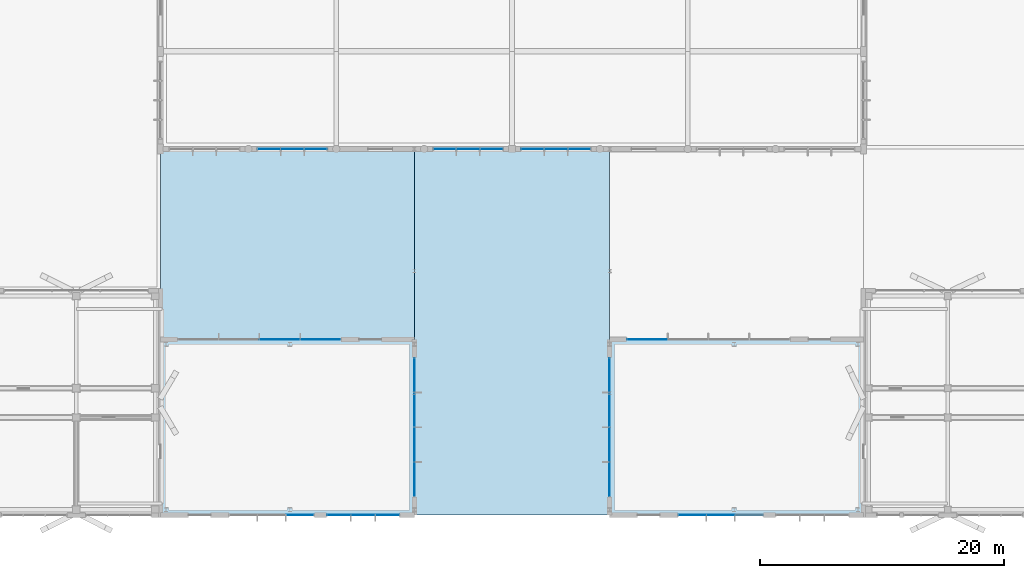
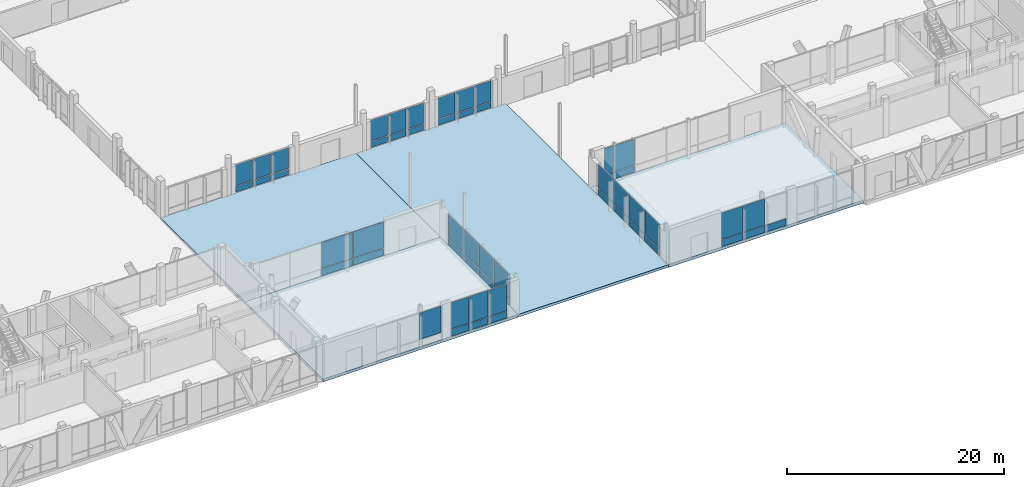
# One storey, part 179 of 233: 52 plates, 4 slabs, 10 elements without a shape of their own.
"""IFC4 building model written with IfcOpenShell, lengths in metres."""

from ifc_helpers import new_model, si_unit, direction, frame, origin, origin_2d, place, context, subcontext, project, spatial, polyline, rectangle, outline, extrude, material, layer, layer_set, type_object, element, aggregate, save


model = new_model("IFC4")

# Units and contexts
model_context = context("Model", 3, precision=1e-05, world=origin(), true_north=direction((0.0, 1.0)))
body_context = subcontext(model_context, "Body", "Model", "MODEL_VIEW")
ifc_project = project(units=[si_unit("LENGTHUNIT", "METRE"), si_unit("AREAUNIT", "SQUARE_METRE"), si_unit("VOLUMEUNIT", "CUBIC_METRE"), si_unit("PLANEANGLEUNIT", "RADIAN"), si_unit("MASSUNIT", "GRAM", prefix="KILO")], contexts=[model_context])

# Site, building, storey
site_placement = place(None, origin())
site = spatial("IfcSite", under=ifc_project, at=site_placement, CompositionType="ELEMENT")
building_placement = place(site_placement, origin())
building = spatial("IfcBuilding", under=site, at=building_placement, Name="Zavelmont Quarter", CompositionType="ELEMENT")
storey_placement = place(building_placement, origin())
storey = spatial("IfcBuildingStorey", under=building, at=storey_placement, Name="L00", CompositionType="ELEMENT", Elevation=0.0)

# Curtain wall, plates
ifc_material_1 = material(Name="Thermally broken aluminium and double low-E safety glazing", Category="aluminium")
curtain_wall_type_1 = type_object("IfcCurtainWallType", Name="CW-580X321", PredefinedType="NOTDEFINED", material=ifc_material_1)
curtain_wall_1_placement = place(storey_placement, origin())
curtain_wall_1 = element("IfcCurtainWall", 1, at=curtain_wall_1_placement, inside=storey, type_object=curtain_wall_type_1, Name="L00 unitised curtain wall CW-580X321", PredefinedType="NOTDEFINED")
ifc_material_2 = material(Name="Insulated anodised-aluminium spandrel panel", Category="aluminium")
ifc_layer_1 = layer(ifc_material_2, 0.0400390625)
ifc_layer_set_1 = layer_set([ifc_layer_1], Name="Insulated anodised-aluminium spandrel panel")
plate_type_1 = type_object("IfcPlateType", Name="CWP-SPD-1830X665", PredefinedType="CURTAIN_PANEL", material=ifc_layer_set_1)
plate_1_placement = place(storey_placement, frame((64.084228515625, 30.0, 0.070068359375), z_axis=(0.0, 0.0, 1.0), x_axis=(1.0, 0.0, 0.0)))
plate_1 = element("IfcPlate", 2, at=plate_1_placement, type_object=plate_type_1, Name="CW-580X321 panel 1.1", PredefinedType="CURTAIN_PANEL", context=body_context, shape_type="SweptSolid", body=[
    extrude(rectangle(XDim=1.828369140625, YDim=0.0400390625, at=origin_2d()), origin(), (0.0, 0.0, 1.0), 0.6650390625),
])
plate_2_placement = place(storey_placement, frame((67.915771484375, 30.0, 0.070068359375), z_axis=(0.0, 0.0, 1.0), x_axis=(1.0, 0.0, 0.0)))
plate_2 = element("IfcPlate", 3, at=plate_2_placement, type_object=plate_type_1, Name="CW-580X321 panel 3.1", PredefinedType="CURTAIN_PANEL", context=body_context, shape_type="SweptSolid", body=[
    extrude(rectangle(XDim=1.828369140625, YDim=0.0400390625, at=origin_2d()), origin(), (0.0, 0.0, 1.0), 0.6650390625),
])

curtain_wall_2_placement = place(storey_placement, origin())
curtain_wall_2 = element("IfcCurtainWall", 4, at=curtain_wall_2_placement, inside=storey, type_object=curtain_wall_type_1, Name="L00 unitised curtain wall CW-580X321", PredefinedType="NOTDEFINED")
plate_3_placement = place(storey_placement, frame((78.484130859375, 30.0, 0.070068359375), z_axis=(0.0, 0.0, 1.0), x_axis=(1.0, 0.0, 0.0)))
plate_3 = element("IfcPlate", 5, at=plate_3_placement, type_object=plate_type_1, Name="CW-580X321 panel 1.1", PredefinedType="CURTAIN_PANEL", context=body_context, shape_type="SweptSolid", body=[
    extrude(rectangle(XDim=1.828369140625, YDim=0.0400390625, at=origin_2d()), origin(), (0.0, 0.0, 1.0), 0.6650390625),
])
plate_4_placement = place(storey_placement, frame((82.31591796875, 30.0, 0.070068359375), z_axis=(0.0, 0.0, 1.0), x_axis=(1.0, 0.0, 0.0)))
plate_4 = element("IfcPlate", 6, at=plate_4_placement, type_object=plate_type_1, Name="CW-580X321 panel 3.1", PredefinedType="CURTAIN_PANEL", context=body_context, shape_type="SweptSolid", body=[
    extrude(rectangle(XDim=1.828369140625, YDim=0.0400390625, at=origin_2d()), origin(), (0.0, 0.0, 1.0), 0.6650390625),
])

curtain_wall_3_placement = place(storey_placement, origin())
curtain_wall_3 = element("IfcCurtainWall", 7, at=curtain_wall_3_placement, inside=storey, type_object=curtain_wall_type_1, Name="L00 unitised curtain wall CW-580X321", PredefinedType="NOTDEFINED")
plate_5_placement = place(storey_placement, frame((85.68408203125, 30.0, 0.070068359375), z_axis=(0.0, 0.0, 1.0), x_axis=(1.0, 0.0, 0.0)))
plate_5 = element("IfcPlate", 8, at=plate_5_placement, type_object=plate_type_1, Name="CW-580X321 panel 1.1", PredefinedType="CURTAIN_PANEL", context=body_context, shape_type="SweptSolid", body=[
    extrude(rectangle(XDim=1.828369140625, YDim=0.0400390625, at=origin_2d()), origin(), (0.0, 0.0, 1.0), 0.6650390625),
])
plate_6_placement = place(storey_placement, frame((89.515869140625, 30.0, 0.070068359375), z_axis=(0.0, 0.0, 1.0), x_axis=(1.0, 0.0, 0.0)))
plate_6 = element("IfcPlate", 9, at=plate_6_placement, type_object=plate_type_1, Name="CW-580X321 panel 3.1", PredefinedType="CURTAIN_PANEL", context=body_context, shape_type="SweptSolid", body=[
    extrude(rectangle(XDim=1.828369140625, YDim=0.0400390625, at=origin_2d()), origin(), (0.0, 0.0, 1.0), 0.6650390625),
])

# Plate
ifc_layer_2 = layer(ifc_material_2, 0.0400390625)
ifc_layer_set_2 = layer_set([ifc_layer_2], Name="Insulated anodised-aluminium spandrel panel")
plate_type_2 = type_object("IfcPlateType", Name="CWP-SPD-1865X665", PredefinedType="CURTAIN_PANEL", material=ifc_layer_set_2)
plate_7_placement = place(storey_placement, frame((66.0, 30.0, 0.070068359375), z_axis=(0.0, 0.0, 1.0), x_axis=(1.0, 0.0, 0.0)))
plate_7 = element("IfcPlate", 10, at=plate_7_placement, type_object=plate_type_2, Name="CW-580X321 panel 2.1", PredefinedType="CURTAIN_PANEL", context=body_context, shape_type="SweptSolid", body=[
    extrude(rectangle(XDim=1.86328125, YDim=0.0400390625, at=origin_2d()), origin(), (0.0, 0.0, 1.0), 0.6650390625),
])

plate_8_placement = place(storey_placement, frame((80.39990234375, 30.0, 0.070068359375), z_axis=(0.0, 0.0, 1.0), x_axis=(1.0, 0.0, 0.0)))
plate_8 = element("IfcPlate", 11, at=plate_8_placement, type_object=plate_type_2, Name="CW-580X321 panel 2.1", PredefinedType="CURTAIN_PANEL", context=body_context, shape_type="SweptSolid", body=[
    extrude(rectangle(XDim=1.86328125, YDim=0.0400390625, at=origin_2d()), origin(), (0.0, 0.0, 1.0), 0.6650390625),
])

plate_9_placement = place(storey_placement, frame((87.60009765625, 30.0, 0.070068359375), z_axis=(0.0, 0.0, 1.0), x_axis=(1.0, 0.0, 0.0)))
plate_9 = element("IfcPlate", 12, at=plate_9_placement, type_object=plate_type_2, Name="CW-580X321 panel 2.1", PredefinedType="CURTAIN_PANEL", context=body_context, shape_type="SweptSolid", body=[
    extrude(rectangle(XDim=1.86328125, YDim=0.0400390625, at=origin_2d()), origin(), (0.0, 0.0, 1.0), 0.6650390625),
])

# Curtain wall, plates
curtain_wall_type_2 = type_object("IfcCurtainWallType", Name="CW-600X390", PredefinedType="NOTDEFINED", material=ifc_material_1)
curtain_wall_4_placement = place(storey_placement, origin())
curtain_wall_4 = element("IfcCurtainWall", 13, at=curtain_wall_4_placement, inside=storey, type_object=curtain_wall_type_2, Name="L00 unitised curtain wall CW-600X390", PredefinedType="NOTDEFINED")
ifc_layer_3 = layer(ifc_material_2, 0.0400390625)
ifc_layer_set_3 = layer_set([ifc_layer_3], Name="Insulated anodised-aluminium spandrel panel")
plate_type_3 = type_object("IfcPlateType", Name="CWP-SPD-1910X760", PredefinedType="CURTAIN_PANEL", material=ifc_layer_set_3)
plate_10_placement = place(storey_placement, frame((69.81494140625, 0.0, 0.06005859375), z_axis=(0.0, 0.0, 1.0), x_axis=(1.0, 0.0, 0.0)))
plate_10 = element("IfcPlate", 14, at=plate_10_placement, type_object=plate_type_3, Name="CW-600X390 panel 1.1", PredefinedType="CURTAIN_PANEL", context=body_context, shape_type="SweptSolid", body=[
    extrude(rectangle(XDim=1.909912109375, YDim=0.0400390625, at=origin_2d()), origin(), (0.0, 0.0, 1.0), 0.760009765625),
])
plate_11_placement = place(storey_placement, frame((73.784912109375, 0.0, 0.06005859375), z_axis=(0.0, 0.0, 1.0), x_axis=(1.0, 0.0, 0.0)))
plate_11 = element("IfcPlate", 15, at=plate_11_placement, type_object=plate_type_3, Name="CW-600X390 panel 3.1", PredefinedType="CURTAIN_PANEL", context=body_context, shape_type="SweptSolid", body=[
    extrude(rectangle(XDim=1.909912109375, YDim=0.0400390625, at=origin_2d()), origin(), (0.0, 0.0, 1.0), 0.760009765625),
])
ifc_layer_4 = layer(ifc_material_2, 0.0400390625)
ifc_layer_set_4 = layer_set([ifc_layer_4], Name="Insulated anodised-aluminium spandrel panel")
plate_type_4 = type_object("IfcPlateType", Name="CWP-SPD-1940X760", PredefinedType="CURTAIN_PANEL", material=ifc_layer_set_4)
plate_12_placement = place(storey_placement, frame((71.800048828125, 0.0, 0.06005859375), z_axis=(0.0, 0.0, 1.0), x_axis=(1.0, 0.0, 0.0)))
plate_12 = element("IfcPlate", 16, at=plate_12_placement, type_object=plate_type_4, Name="CW-600X390 panel 2.1", PredefinedType="CURTAIN_PANEL", context=body_context, shape_type="SweptSolid", body=[
    extrude(rectangle(XDim=1.93994140625, YDim=0.0400390625, at=origin_2d()), origin(), (0.0, 0.0, 1.0), 0.760009765625),
])

curtain_wall_type_3 = type_object("IfcCurtainWallType", Name="CW-700X390", PredefinedType="NOTDEFINED", material=ifc_material_1)
curtain_wall_5_placement = place(storey_placement, origin())
curtain_wall_5 = element("IfcCurtainWall", 17, at=curtain_wall_5_placement, inside=storey, type_object=curtain_wall_type_3, Name="L00 unitised curtain wall CW-700X390", PredefinedType="NOTDEFINED")
ifc_layer_5 = layer(ifc_material_2, 0.0400390625)
ifc_layer_set_5 = layer_set([ifc_layer_5], Name="Insulated anodised-aluminium spandrel panel")
plate_type_5 = type_object("IfcPlateType", Name="CWP-SPD-2245X760", PredefinedType="CURTAIN_PANEL", material=ifc_layer_set_5)
plate_13_placement = place(storey_placement, frame((98.78173828125, 0.0, 0.06005859375), z_axis=(0.0, 0.0, 1.0), x_axis=(1.0, 0.0, 0.0)))
plate_13 = element("IfcPlate", 18, at=plate_13_placement, type_object=plate_type_5, Name="CW-700X390 panel 1.1", PredefinedType="CURTAIN_PANEL", context=body_context, shape_type="SweptSolid", body=[
    extrude(rectangle(XDim=2.243408203125, YDim=0.0400390625, at=origin_2d()), origin(), (0.0, 0.0, 1.0), 0.760009765625),
])
plate_14_placement = place(storey_placement, frame((103.418212890625, 0.0, 0.06005859375), z_axis=(0.0, 0.0, 1.0), x_axis=(1.0, 0.0, 0.0)))
plate_14 = element("IfcPlate", 19, at=plate_14_placement, type_object=plate_type_5, Name="CW-700X390 panel 3.1", PredefinedType="CURTAIN_PANEL", context=body_context, shape_type="SweptSolid", body=[
    extrude(rectangle(XDim=2.243408203125, YDim=0.0400390625, at=origin_2d()), origin(), (0.0, 0.0, 1.0), 0.760009765625),
])
ifc_layer_6 = layer(ifc_material_2, 0.0400390625)
ifc_layer_set_6 = layer_set([ifc_layer_6], Name="Insulated anodised-aluminium spandrel panel")
plate_type_6 = type_object("IfcPlateType", Name="CWP-SPD-2275X760", PredefinedType="CURTAIN_PANEL", material=ifc_layer_set_6)
plate_15_placement = place(storey_placement, frame((101.10009765625, 0.0, 0.06005859375), z_axis=(0.0, 0.0, 1.0), x_axis=(1.0, 0.0, 0.0)))
plate_15 = element("IfcPlate", 20, at=plate_15_placement, type_object=plate_type_6, Name="CW-700X390 panel 2.1", PredefinedType="CURTAIN_PANEL", context=body_context, shape_type="SweptSolid", body=[
    extrude(rectangle(XDim=2.2734375, YDim=0.0400390625, at=origin_2d()), origin(), (0.0, 0.0, 1.0), 0.760009765625),
])

curtain_wall_type_4 = type_object("IfcCurtainWallType", Name="CW-1140X361", PredefinedType="NOTDEFINED", material=ifc_material_1)
curtain_wall_6_placement = place(storey_placement, origin())
curtain_wall_6 = element("IfcCurtainWall", 21, at=curtain_wall_6_placement, inside=storey, type_object=curtain_wall_type_4, Name="L00 unitised curtain wall CW-1140X361", PredefinedType="NOTDEFINED")
ifc_layer_7 = layer(ifc_material_2, 0.0400390625)
ifc_layer_set_7 = layer_set([ifc_layer_7], Name="Insulated anodised-aluminium spandrel panel")
plate_type_7 = type_object("IfcPlateType", Name="CWP-SPD-2760X760", PredefinedType="CURTAIN_PANEL", material=ifc_layer_set_7)
plate_16_placement = place(storey_placement, frame((76.0, 2.93994140625, 0.06005859375), z_axis=(0.0, 0.0, 1.0), x_axis=(0.0, 1.0, 0.0)))
plate_16 = element("IfcPlate", 22, at=plate_16_placement, type_object=plate_type_7, Name="CW-1140X361 panel 1.1", PredefinedType="CURTAIN_PANEL", context=body_context, shape_type="SweptSolid", body=[
    extrude(rectangle(XDim=2.760009765625, YDim=0.0400390625, at=origin_2d()), origin(), (0.0, 0.0, 1.0), 0.760009765625),
])
plate_17_placement = place(storey_placement, frame((76.0, 11.4599609375, 0.06005859375), z_axis=(0.0, 0.0, 1.0), x_axis=(0.0, 1.0, 0.0)))
plate_17 = element("IfcPlate", 23, at=plate_17_placement, type_object=plate_type_7, Name="CW-1140X361 panel 4.1", PredefinedType="CURTAIN_PANEL", context=body_context, shape_type="SweptSolid", body=[
    extrude(rectangle(XDim=2.760009765625, YDim=0.0400390625, at=origin_2d()), origin(), (0.0, 0.0, 1.0), 0.760009765625),
])

curtain_wall_7_placement = place(storey_placement, origin())
curtain_wall_7 = element("IfcCurtainWall", 24, at=curtain_wall_7_placement, inside=storey, type_object=curtain_wall_type_4, Name="L00 unitised curtain wall CW-1140X361", PredefinedType="NOTDEFINED")
plate_18_placement = place(storey_placement, frame((92.0, 2.93994140625, 0.06005859375), z_axis=(0.0, 0.0, 1.0), x_axis=(0.0, 1.0, 0.0)))
plate_18 = element("IfcPlate", 25, at=plate_18_placement, type_object=plate_type_7, Name="CW-1140X361 panel 1.1", PredefinedType="CURTAIN_PANEL", context=body_context, shape_type="SweptSolid", body=[
    extrude(rectangle(XDim=2.760009765625, YDim=0.0400390625, at=origin_2d()), origin(), (0.0, 0.0, 1.0), 0.760009765625),
])
plate_19_placement = place(storey_placement, frame((92.0, 11.4599609375, 0.06005859375), z_axis=(0.0, 0.0, 1.0), x_axis=(0.0, 1.0, 0.0)))
plate_19 = element("IfcPlate", 26, at=plate_19_placement, type_object=plate_type_7, Name="CW-1140X361 panel 4.1", PredefinedType="CURTAIN_PANEL", context=body_context, shape_type="SweptSolid", body=[
    extrude(rectangle(XDim=2.760009765625, YDim=0.0400390625, at=origin_2d()), origin(), (0.0, 0.0, 1.0), 0.760009765625),
])

# Plate
ifc_layer_8 = layer(ifc_material_2, 0.0400390625)
ifc_layer_set_8 = layer_set([ifc_layer_8], Name="Insulated anodised-aluminium spandrel panel")
plate_type_8 = type_object("IfcPlateType", Name="CWP-SPD-2790X760", PredefinedType="CURTAIN_PANEL", material=ifc_layer_set_8)
plate_20_placement = place(storey_placement, frame((76.0, 5.77490234375, 0.06005859375), z_axis=(0.0, 0.0, 1.0), x_axis=(0.0, 1.0, 0.0)))
plate_20 = element("IfcPlate", 27, at=plate_20_placement, type_object=plate_type_8, Name="CW-1140X361 panel 2.1", PredefinedType="CURTAIN_PANEL", context=body_context, shape_type="SweptSolid", body=[
    extrude(rectangle(XDim=2.7900390625, YDim=0.0400390625, at=origin_2d()), origin(), (0.0, 0.0, 1.0), 0.760009765625),
])

plate_21_placement = place(storey_placement, frame((76.0, 8.625, 0.06005859375), z_axis=(0.0, 0.0, 1.0), x_axis=(0.0, 1.0, 0.0)))
plate_21 = element("IfcPlate", 28, at=plate_21_placement, type_object=plate_type_8, Name="CW-1140X361 panel 3.1", PredefinedType="CURTAIN_PANEL", context=body_context, shape_type="SweptSolid", body=[
    extrude(rectangle(XDim=2.7900390625, YDim=0.0400390625, at=origin_2d()), origin(), (0.0, 0.0, 1.0), 0.760009765625),
])

plate_22_placement = place(storey_placement, frame((92.0, 5.77490234375, 0.06005859375), z_axis=(0.0, 0.0, 1.0), x_axis=(0.0, 1.0, 0.0)))
plate_22 = element("IfcPlate", 29, at=plate_22_placement, type_object=plate_type_8, Name="CW-1140X361 panel 2.1", PredefinedType="CURTAIN_PANEL", context=body_context, shape_type="SweptSolid", body=[
    extrude(rectangle(XDim=2.7900390625, YDim=0.0400390625, at=origin_2d()), origin(), (0.0, 0.0, 1.0), 0.760009765625),
])

plate_23_placement = place(storey_placement, frame((92.0, 8.625, 0.06005859375), z_axis=(0.0, 0.0, 1.0), x_axis=(0.0, 1.0, 0.0)))
plate_23 = element("IfcPlate", 30, at=plate_23_placement, type_object=plate_type_8, Name="CW-1140X361 panel 3.1", PredefinedType="CURTAIN_PANEL", context=body_context, shape_type="SweptSolid", body=[
    extrude(rectangle(XDim=2.7900390625, YDim=0.0400390625, at=origin_2d()), origin(), (0.0, 0.0, 1.0), 0.760009765625),
])

# Curtain wall, plate
curtain_wall_type_5 = type_object("IfcCurtainWallType", Name="CW-1340X390", PredefinedType="NOTDEFINED", material=ifc_material_1)
curtain_wall_8_placement = place(storey_placement, origin())
curtain_wall_8 = element("IfcCurtainWall", 31, at=curtain_wall_8_placement, inside=storey, type_object=curtain_wall_type_5, Name="L00 unitised curtain wall CW-1340X390", PredefinedType="NOTDEFINED")
ifc_layer_9 = layer(ifc_material_2, 0.0400390625)
ifc_layer_set_9 = layer_set([ifc_layer_9], Name="Insulated anodised-aluminium spandrel panel")
plate_type_9 = type_object("IfcPlateType", Name="CWP-SPD-3260X760", PredefinedType="CURTAIN_PANEL", material=ifc_layer_set_9)
plate_24_placement = place(storey_placement, frame((68.31005859375, 14.39990234375, 0.06005859375), z_axis=(0.0, 0.0, 1.0), x_axis=(1.0, 0.0, 0.0)))
plate_24 = element("IfcPlate", 32, at=plate_24_placement, type_object=plate_type_9, Name="CW-1340X390 panel 4.1", PredefinedType="CURTAIN_PANEL", context=body_context, shape_type="SweptSolid", body=[
    extrude(rectangle(XDim=3.260009765625, YDim=0.0400390625, at=origin_2d()), origin(), (0.0, 0.0, 1.0), 0.760009765625),
])

curtain_wall_9_placement = place(storey_placement, origin())
curtain_wall_9 = element("IfcCurtainWall", 33, at=curtain_wall_9_placement, inside=storey, type_object=curtain_wall_type_5, Name="L00 unitised curtain wall CW-1340X390", PredefinedType="NOTDEFINED")
plate_25_placement = place(storey_placement, frame((95.090087890625, 14.39990234375, 0.06005859375), z_axis=(0.0, 0.0, 1.0), x_axis=(1.0, 0.0, 0.0)))
plate_25 = element("IfcPlate", 34, at=plate_25_placement, type_object=plate_type_9, Name="CW-1340X390 panel 1.1", PredefinedType="CURTAIN_PANEL", context=body_context, shape_type="SweptSolid", body=[
    extrude(rectangle(XDim=3.260009765625, YDim=0.0400390625, at=origin_2d()), origin(), (0.0, 0.0, 1.0), 0.760009765625),
])

# Plate
ifc_layer_10 = layer(ifc_material_2, 0.0400390625)
ifc_layer_set_10 = layer_set([ifc_layer_10], Name="Insulated anodised-aluminium spandrel panel")
plate_type_10 = type_object("IfcPlateType", Name="CWP-SPD-3290X760", PredefinedType="CURTAIN_PANEL", material=ifc_layer_set_10)
plate_26_placement = place(storey_placement, frame((64.97509765625, 14.39990234375, 0.06005859375), z_axis=(0.0, 0.0, 1.0), x_axis=(1.0, 0.0, 0.0)))
plate_26 = element("IfcPlate", 35, at=plate_26_placement, type_object=plate_type_10, Name="CW-1340X390 panel 3.1", PredefinedType="CURTAIN_PANEL", context=body_context, shape_type="SweptSolid", body=[
    extrude(rectangle(XDim=3.2900390625, YDim=0.0400390625, at=origin_2d()), origin(), (0.0, 0.0, 1.0), 0.760009765625),
])

ifc_material_3 = material(Name="Double low-E insulated vision glass", Category="glass")
ifc_layer_11 = layer(ifc_material_3, 0.028076171875)
ifc_layer_set_11 = layer_set([ifc_layer_11], Name="Double low-E insulated vision glass")
plate_type_11 = type_object("IfcPlateType", Name="CWP-VIS-1830X2335", PredefinedType="CURTAIN_PANEL", material=ifc_layer_set_11)
plate_27_placement = place(storey_placement, frame((64.084228515625, 30.0, 0.804931640625), z_axis=(0.0, 0.0, 1.0), x_axis=(1.0, 0.0, 0.0)))
plate_27 = element("IfcPlate", 36, at=plate_27_placement, type_object=plate_type_11, Name="CW-580X321 panel 1.2", PredefinedType="CURTAIN_PANEL", context=body_context, shape_type="SweptSolid", body=[
    extrude(rectangle(XDim=1.828369140625, YDim=0.028076171875, at=origin_2d()), origin(), (0.0, 0.0, 1.0), 2.3349609375),
])

plate_28_placement = place(storey_placement, frame((67.915771484375, 30.0, 0.804931640625), z_axis=(0.0, 0.0, 1.0), x_axis=(1.0, 0.0, 0.0)))
plate_28 = element("IfcPlate", 37, at=plate_28_placement, type_object=plate_type_11, Name="CW-580X321 panel 3.2", PredefinedType="CURTAIN_PANEL", context=body_context, shape_type="SweptSolid", body=[
    extrude(rectangle(XDim=1.828369140625, YDim=0.028076171875, at=origin_2d()), origin(), (0.0, 0.0, 1.0), 2.3349609375),
])

plate_29_placement = place(storey_placement, frame((78.484130859375, 30.0, 0.804931640625), z_axis=(0.0, 0.0, 1.0), x_axis=(1.0, 0.0, 0.0)))
plate_29 = element("IfcPlate", 38, at=plate_29_placement, type_object=plate_type_11, Name="CW-580X321 panel 1.2", PredefinedType="CURTAIN_PANEL", context=body_context, shape_type="SweptSolid", body=[
    extrude(rectangle(XDim=1.828369140625, YDim=0.028076171875, at=origin_2d()), origin(), (0.0, 0.0, 1.0), 2.3349609375),
])

plate_30_placement = place(storey_placement, frame((82.31591796875, 30.0, 0.804931640625), z_axis=(0.0, 0.0, 1.0), x_axis=(1.0, 0.0, 0.0)))
plate_30 = element("IfcPlate", 39, at=plate_30_placement, type_object=plate_type_11, Name="CW-580X321 panel 3.2", PredefinedType="CURTAIN_PANEL", context=body_context, shape_type="SweptSolid", body=[
    extrude(rectangle(XDim=1.828369140625, YDim=0.028076171875, at=origin_2d()), origin(), (0.0, 0.0, 1.0), 2.3349609375),
])

plate_31_placement = place(storey_placement, frame((85.68408203125, 30.0, 0.804931640625), z_axis=(0.0, 0.0, 1.0), x_axis=(1.0, 0.0, 0.0)))
plate_31 = element("IfcPlate", 40, at=plate_31_placement, type_object=plate_type_11, Name="CW-580X321 panel 1.2", PredefinedType="CURTAIN_PANEL", context=body_context, shape_type="SweptSolid", body=[
    extrude(rectangle(XDim=1.828369140625, YDim=0.028076171875, at=origin_2d()), origin(), (0.0, 0.0, 1.0), 2.3349609375),
])

plate_32_placement = place(storey_placement, frame((89.515869140625, 30.0, 0.804931640625), z_axis=(0.0, 0.0, 1.0), x_axis=(1.0, 0.0, 0.0)))
plate_32 = element("IfcPlate", 41, at=plate_32_placement, type_object=plate_type_11, Name="CW-580X321 panel 3.2", PredefinedType="CURTAIN_PANEL", context=body_context, shape_type="SweptSolid", body=[
    extrude(rectangle(XDim=1.828369140625, YDim=0.028076171875, at=origin_2d()), origin(), (0.0, 0.0, 1.0), 2.3349609375),
])

ifc_layer_12 = layer(ifc_material_3, 0.028076171875)
ifc_layer_set_12 = layer_set([ifc_layer_12], Name="Double low-E insulated vision glass")
plate_type_12 = type_object("IfcPlateType", Name="CWP-VIS-1865X2335", PredefinedType="CURTAIN_PANEL", material=ifc_layer_set_12)
plate_33_placement = place(storey_placement, frame((66.0, 30.0, 0.804931640625), z_axis=(0.0, 0.0, 1.0), x_axis=(1.0, 0.0, 0.0)))
plate_33 = element("IfcPlate", 42, at=plate_33_placement, type_object=plate_type_12, Name="CW-580X321 panel 2.2", PredefinedType="CURTAIN_PANEL", context=body_context, shape_type="SweptSolid", body=[
    extrude(rectangle(XDim=1.86328125, YDim=0.028076171875, at=origin_2d()), origin(), (0.0, 0.0, 1.0), 2.3349609375),
])

aggregate(curtain_wall_1, [plate_1, plate_27, plate_7, plate_33, plate_2, plate_28])

plate_34_placement = place(storey_placement, frame((80.39990234375, 30.0, 0.804931640625), z_axis=(0.0, 0.0, 1.0), x_axis=(1.0, 0.0, 0.0)))
plate_34 = element("IfcPlate", 43, at=plate_34_placement, type_object=plate_type_12, Name="CW-580X321 panel 2.2", PredefinedType="CURTAIN_PANEL", context=body_context, shape_type="SweptSolid", body=[
    extrude(rectangle(XDim=1.86328125, YDim=0.028076171875, at=origin_2d()), origin(), (0.0, 0.0, 1.0), 2.3349609375),
])

aggregate(curtain_wall_2, [plate_3, plate_29, plate_8, plate_34, plate_4, plate_30])

plate_35_placement = place(storey_placement, frame((87.60009765625, 30.0, 0.804931640625), z_axis=(0.0, 0.0, 1.0), x_axis=(1.0, 0.0, 0.0)))
plate_35 = element("IfcPlate", 44, at=plate_35_placement, type_object=plate_type_12, Name="CW-580X321 panel 2.2", PredefinedType="CURTAIN_PANEL", context=body_context, shape_type="SweptSolid", body=[
    extrude(rectangle(XDim=1.86328125, YDim=0.028076171875, at=origin_2d()), origin(), (0.0, 0.0, 1.0), 2.3349609375),
])

aggregate(curtain_wall_3, [plate_5, plate_31, plate_9, plate_35, plate_6, plate_32])

ifc_layer_13 = layer(ifc_material_3, 0.028076171875)
ifc_layer_set_13 = layer_set([ifc_layer_13], Name="Double low-E insulated vision glass")
plate_type_13 = type_object("IfcPlateType", Name="CWP-VIS-1910X2960", PredefinedType="CURTAIN_PANEL", material=ifc_layer_set_13)
plate_36_placement = place(storey_placement, frame((69.81494140625, 0.0, 0.880126953125), z_axis=(0.0, 0.0, 1.0), x_axis=(1.0, 0.0, 0.0)))
plate_36 = element("IfcPlate", 45, at=plate_36_placement, type_object=plate_type_13, Name="CW-600X390 panel 1.2", PredefinedType="CURTAIN_PANEL", context=body_context, shape_type="SweptSolid", body=[
    extrude(rectangle(XDim=1.909912109375, YDim=0.028076171875, at=origin_2d()), origin(), (0.0, 0.0, 1.0), 2.9599609375),
])

plate_37_placement = place(storey_placement, frame((73.784912109375, 0.0, 0.880126953125), z_axis=(0.0, 0.0, 1.0), x_axis=(1.0, 0.0, 0.0)))
plate_37 = element("IfcPlate", 46, at=plate_37_placement, type_object=plate_type_13, Name="CW-600X390 panel 3.2", PredefinedType="CURTAIN_PANEL", context=body_context, shape_type="SweptSolid", body=[
    extrude(rectangle(XDim=1.909912109375, YDim=0.028076171875, at=origin_2d()), origin(), (0.0, 0.0, 1.0), 2.9599609375),
])

ifc_layer_14 = layer(ifc_material_3, 0.028076171875)
ifc_layer_set_14 = layer_set([ifc_layer_14], Name="Double low-E insulated vision glass")
plate_type_14 = type_object("IfcPlateType", Name="CWP-VIS-1940X2960", PredefinedType="CURTAIN_PANEL", material=ifc_layer_set_14)
plate_38_placement = place(storey_placement, frame((71.800048828125, 0.0, 0.880126953125), z_axis=(0.0, 0.0, 1.0), x_axis=(1.0, 0.0, 0.0)))
plate_38 = element("IfcPlate", 47, at=plate_38_placement, type_object=plate_type_14, Name="CW-600X390 panel 2.2", PredefinedType="CURTAIN_PANEL", context=body_context, shape_type="SweptSolid", body=[
    extrude(rectangle(XDim=1.93994140625, YDim=0.028076171875, at=origin_2d()), origin(), (0.0, 0.0, 1.0), 2.9599609375),
])

aggregate(curtain_wall_4, [plate_10, plate_36, plate_12, plate_38, plate_11, plate_37])

# Curtain wall, plate
curtain_wall_10_placement = place(storey_placement, origin())
curtain_wall_10 = element("IfcCurtainWall", 48, at=curtain_wall_10_placement, inside=storey, type_object=curtain_wall_type_3, Name="L00 unitised curtain wall CW-700X390", PredefinedType="NOTDEFINED")
ifc_layer_15 = layer(ifc_material_3, 0.028076171875)
ifc_layer_set_15 = layer_set([ifc_layer_15], Name="Double low-E insulated vision glass")
plate_type_15 = type_object("IfcPlateType", Name="CWP-VIS-2245X2960", PredefinedType="CURTAIN_PANEL", material=ifc_layer_set_15)
plate_39_placement = place(storey_placement, frame((66.618408203125, 0.0, 0.880126953125), z_axis=(0.0, 0.0, 1.0), x_axis=(1.0, 0.0, 0.0)))
plate_39 = element("IfcPlate", 49, at=plate_39_placement, type_object=plate_type_15, Name="CW-700X390 panel 3.2", PredefinedType="CURTAIN_PANEL", context=body_context, shape_type="SweptSolid", body=[
    extrude(rectangle(XDim=2.243408203125, YDim=0.028076171875, at=origin_2d()), origin(), (0.0, 0.0, 1.0), 2.9599609375),
])
aggregate(curtain_wall_10, [plate_39])

# Plate
plate_40_placement = place(storey_placement, frame((98.78173828125, 0.0, 0.880126953125), z_axis=(0.0, 0.0, 1.0), x_axis=(1.0, 0.0, 0.0)))
plate_40 = element("IfcPlate", 50, at=plate_40_placement, type_object=plate_type_15, Name="CW-700X390 panel 1.2", PredefinedType="CURTAIN_PANEL", context=body_context, shape_type="SweptSolid", body=[
    extrude(rectangle(XDim=2.243408203125, YDim=0.028076171875, at=origin_2d()), origin(), (0.0, 0.0, 1.0), 2.9599609375),
])

ifc_layer_16 = layer(ifc_material_3, 0.028076171875)
ifc_layer_set_16 = layer_set([ifc_layer_16], Name="Double low-E insulated vision glass")
plate_type_16 = type_object("IfcPlateType", Name="CWP-VIS-2275X2960", PredefinedType="CURTAIN_PANEL", material=ifc_layer_set_16)
plate_41_placement = place(storey_placement, frame((101.10009765625, 0.0, 0.880126953125), z_axis=(0.0, 0.0, 1.0), x_axis=(1.0, 0.0, 0.0)))
plate_41 = element("IfcPlate", 51, at=plate_41_placement, type_object=plate_type_16, Name="CW-700X390 panel 2.2", PredefinedType="CURTAIN_PANEL", context=body_context, shape_type="SweptSolid", body=[
    extrude(rectangle(XDim=2.2734375, YDim=0.028076171875, at=origin_2d()), origin(), (0.0, 0.0, 1.0), 2.9599609375),
])

aggregate(curtain_wall_5, [plate_13, plate_40, plate_15, plate_41, plate_14])

ifc_layer_17 = layer(ifc_material_3, 0.028076171875)
ifc_layer_set_17 = layer_set([ifc_layer_17], Name="Double low-E insulated vision glass")
plate_type_17 = type_object("IfcPlateType", Name="CWP-VIS-2760X2670", PredefinedType="CURTAIN_PANEL", material=ifc_layer_set_17)
plate_42_placement = place(storey_placement, frame((76.0, 2.93994140625, 0.880126953125), z_axis=(0.0, 0.0, 1.0), x_axis=(0.0, 1.0, 0.0)))
plate_42 = element("IfcPlate", 52, at=plate_42_placement, type_object=plate_type_17, Name="CW-1140X361 panel 1.2", PredefinedType="CURTAIN_PANEL", context=body_context, shape_type="SweptSolid", body=[
    extrude(rectangle(XDim=2.760009765625, YDim=0.028076171875, at=origin_2d()), origin(), (0.0, 0.0, 1.0), 2.669921875),
])

plate_43_placement = place(storey_placement, frame((76.0, 11.4599609375, 0.880126953125), z_axis=(0.0, 0.0, 1.0), x_axis=(0.0, 1.0, 0.0)))
plate_43 = element("IfcPlate", 53, at=plate_43_placement, type_object=plate_type_17, Name="CW-1140X361 panel 4.2", PredefinedType="CURTAIN_PANEL", context=body_context, shape_type="SweptSolid", body=[
    extrude(rectangle(XDim=2.760009765625, YDim=0.028076171875, at=origin_2d()), origin(), (0.0, 0.0, 1.0), 2.669921875),
])

plate_44_placement = place(storey_placement, frame((92.0, 2.93994140625, 0.880126953125), z_axis=(0.0, 0.0, 1.0), x_axis=(0.0, 1.0, 0.0)))
plate_44 = element("IfcPlate", 54, at=plate_44_placement, type_object=plate_type_17, Name="CW-1140X361 panel 1.2", PredefinedType="CURTAIN_PANEL", context=body_context, shape_type="SweptSolid", body=[
    extrude(rectangle(XDim=2.760009765625, YDim=0.028076171875, at=origin_2d()), origin(), (0.0, 0.0, 1.0), 2.669921875),
])

plate_45_placement = place(storey_placement, frame((92.0, 11.4599609375, 0.880126953125), z_axis=(0.0, 0.0, 1.0), x_axis=(0.0, 1.0, 0.0)))
plate_45 = element("IfcPlate", 55, at=plate_45_placement, type_object=plate_type_17, Name="CW-1140X361 panel 4.2", PredefinedType="CURTAIN_PANEL", context=body_context, shape_type="SweptSolid", body=[
    extrude(rectangle(XDim=2.760009765625, YDim=0.028076171875, at=origin_2d()), origin(), (0.0, 0.0, 1.0), 2.669921875),
])

ifc_layer_18 = layer(ifc_material_3, 0.028076171875)
ifc_layer_set_18 = layer_set([ifc_layer_18], Name="Double low-E insulated vision glass")
plate_type_18 = type_object("IfcPlateType", Name="CWP-VIS-2790X2670", PredefinedType="CURTAIN_PANEL", material=ifc_layer_set_18)
plate_46_placement = place(storey_placement, frame((76.0, 5.77490234375, 0.880126953125), z_axis=(0.0, 0.0, 1.0), x_axis=(0.0, 1.0, 0.0)))
plate_46 = element("IfcPlate", 56, at=plate_46_placement, type_object=plate_type_18, Name="CW-1140X361 panel 2.2", PredefinedType="CURTAIN_PANEL", context=body_context, shape_type="SweptSolid", body=[
    extrude(rectangle(XDim=2.7900390625, YDim=0.028076171875, at=origin_2d()), origin(), (0.0, 0.0, 1.0), 2.669921875),
])

plate_47_placement = place(storey_placement, frame((76.0, 8.625, 0.880126953125), z_axis=(0.0, 0.0, 1.0), x_axis=(0.0, 1.0, 0.0)))
plate_47 = element("IfcPlate", 57, at=plate_47_placement, type_object=plate_type_18, Name="CW-1140X361 panel 3.2", PredefinedType="CURTAIN_PANEL", context=body_context, shape_type="SweptSolid", body=[
    extrude(rectangle(XDim=2.7900390625, YDim=0.028076171875, at=origin_2d()), origin(), (0.0, 0.0, 1.0), 2.669921875),
])

aggregate(curtain_wall_6, [plate_16, plate_42, plate_20, plate_46, plate_21, plate_47, plate_17, plate_43])

plate_48_placement = place(storey_placement, frame((92.0, 5.77490234375, 0.880126953125), z_axis=(0.0, 0.0, 1.0), x_axis=(0.0, 1.0, 0.0)))
plate_48 = element("IfcPlate", 58, at=plate_48_placement, type_object=plate_type_18, Name="CW-1140X361 panel 2.2", PredefinedType="CURTAIN_PANEL", context=body_context, shape_type="SweptSolid", body=[
    extrude(rectangle(XDim=2.7900390625, YDim=0.028076171875, at=origin_2d()), origin(), (0.0, 0.0, 1.0), 2.669921875),
])

plate_49_placement = place(storey_placement, frame((92.0, 8.625, 0.880126953125), z_axis=(0.0, 0.0, 1.0), x_axis=(0.0, 1.0, 0.0)))
plate_49 = element("IfcPlate", 59, at=plate_49_placement, type_object=plate_type_18, Name="CW-1140X361 panel 3.2", PredefinedType="CURTAIN_PANEL", context=body_context, shape_type="SweptSolid", body=[
    extrude(rectangle(XDim=2.7900390625, YDim=0.028076171875, at=origin_2d()), origin(), (0.0, 0.0, 1.0), 2.669921875),
])

aggregate(curtain_wall_7, [plate_18, plate_44, plate_22, plate_48, plate_23, plate_49, plate_19, plate_45])

ifc_layer_19 = layer(ifc_material_3, 0.028076171875)
ifc_layer_set_19 = layer_set([ifc_layer_19], Name="Double low-E insulated vision glass")
plate_type_19 = type_object("IfcPlateType", Name="CWP-VIS-3260X2960", PredefinedType="CURTAIN_PANEL", material=ifc_layer_set_19)
plate_50_placement = place(storey_placement, frame((68.31005859375, 14.39990234375, 0.880126953125), z_axis=(0.0, 0.0, 1.0), x_axis=(1.0, 0.0, 0.0)))
plate_50 = element("IfcPlate", 60, at=plate_50_placement, type_object=plate_type_19, Name="CW-1340X390 panel 4.2", PredefinedType="CURTAIN_PANEL", context=body_context, shape_type="SweptSolid", body=[
    extrude(rectangle(XDim=3.260009765625, YDim=0.028076171875, at=origin_2d()), origin(), (0.0, 0.0, 1.0), 2.9599609375),
])

plate_51_placement = place(storey_placement, frame((95.090087890625, 14.39990234375, 0.880126953125), z_axis=(0.0, 0.0, 1.0), x_axis=(1.0, 0.0, 0.0)))
plate_51 = element("IfcPlate", 61, at=plate_51_placement, type_object=plate_type_19, Name="CW-1340X390 panel 1.2", PredefinedType="CURTAIN_PANEL", context=body_context, shape_type="SweptSolid", body=[
    extrude(rectangle(XDim=3.260009765625, YDim=0.028076171875, at=origin_2d()), origin(), (0.0, 0.0, 1.0), 2.9599609375),
])

aggregate(curtain_wall_9, [plate_25, plate_51])

ifc_layer_20 = layer(ifc_material_3, 0.028076171875)
ifc_layer_set_20 = layer_set([ifc_layer_20], Name="Double low-E insulated vision glass")
plate_type_20 = type_object("IfcPlateType", Name="CWP-VIS-3290X2960", PredefinedType="CURTAIN_PANEL", material=ifc_layer_set_20)
plate_52_placement = place(storey_placement, frame((64.97509765625, 14.39990234375, 0.880126953125), z_axis=(0.0, 0.0, 1.0), x_axis=(1.0, 0.0, 0.0)))
plate_52 = element("IfcPlate", 62, at=plate_52_placement, type_object=plate_type_20, Name="CW-1340X390 panel 3.2", PredefinedType="CURTAIN_PANEL", context=body_context, shape_type="SweptSolid", body=[
    extrude(rectangle(XDim=3.2900390625, YDim=0.028076171875, at=origin_2d()), origin(), (0.0, 0.0, 1.0), 2.9599609375),
])

aggregate(curtain_wall_8, [plate_26, plate_52, plate_24, plate_50])

# Slabs
ifc_material_4 = material(Name="Concrete C40/50", Category="concrete")
ifc_layer_21 = layer(ifc_material_4, 0.320068359375)
ifc_layer_set_21 = layer_set([ifc_layer_21], Name="Concrete C40/50")
slab_type_1 = type_object("IfcSlabType", Name="SL-FL320", PredefinedType="FLOOR", material=ifc_layer_set_21)
slab_1_placement = place(storey_placement, frame((0.0, 0.0, -0.320068359375)))
element("IfcSlab", 63, at=slab_1_placement, inside=storey, type_object=slab_type_1, Name="L00 South-West Street Arcade Wing L00 floor SL-FL320", PredefinedType="FLOOR", context=body_context, shape_type="SweptSolid", body=[
    extrude(outline(polyline([(55.199951171875, 0.0), (76.0, 0.0), (76.0, 14.39990234375), (55.199951171875, 14.39990234375), (55.199951171875, 0.0)])), origin(), (0.0, 0.0, 1.0), 0.320068359375),
])
slab_2_placement = place(storey_placement, frame((0.0, 0.0, -0.320068359375)))
element("IfcSlab", 64, at=slab_2_placement, inside=storey, type_object=slab_type_1, Name="L00 South-East Street Arcade Wing L00 floor SL-FL320", PredefinedType="FLOOR", context=body_context, shape_type="SweptSolid", body=[
    extrude(outline(polyline([(92.0, 0.0), (112.800048828125, 0.0), (112.800048828125, 14.39990234375), (92.0, 14.39990234375), (92.0, 0.0)])), origin(), (0.0, 0.0, 1.0), 0.320068359375),
])
ifc_material_5 = material(Name="Concrete C35/45", Category="concrete")
ifc_layer_22 = layer(ifc_material_5, 0.2900390625)
ifc_layer_set_22 = layer_set([ifc_layer_22], Name="Concrete C35/45")
slab_type_2 = type_object("IfcSlabType", Name="SL-RF290", PredefinedType="ROOF", material=ifc_layer_set_22)
slab_3_placement = place(storey_placement, frame((0.0, 0.0, -0.2900390625)))
element("IfcSlab", 65, at=slab_3_placement, inside=storey, type_object=slab_type_2, Name="L00 South-Central Covered Passage forecourt SL-RF290", PredefinedType="ROOF", context=body_context, shape_type="SweptSolid", body=[
    extrude(outline(polyline([(76.0, 0.0), (92.0, 0.0), (92.0, 30.0), (76.0, 30.0), (76.0, 0.0)])), origin(), (0.0, 0.0, 1.0), 0.2900390625),
])
slab_4_placement = place(storey_placement, frame((0.0, 0.0, -0.2900390625)))
element("IfcSlab", 66, at=slab_4_placement, inside=storey, type_object=slab_type_2, Name="L00 South-West forecourt garden SL-RF290", PredefinedType="ROOF", context=body_context, shape_type="SweptSolid", body=[
    extrude(outline(polyline([(55.199951171875, 14.39990234375), (76.0, 14.39990234375), (76.0, 30.0), (55.199951171875, 30.0), (55.199951171875, 14.39990234375)])), origin(), (0.0, 0.0, 1.0), 0.2900390625),
])

save(model, "model.ifc")
